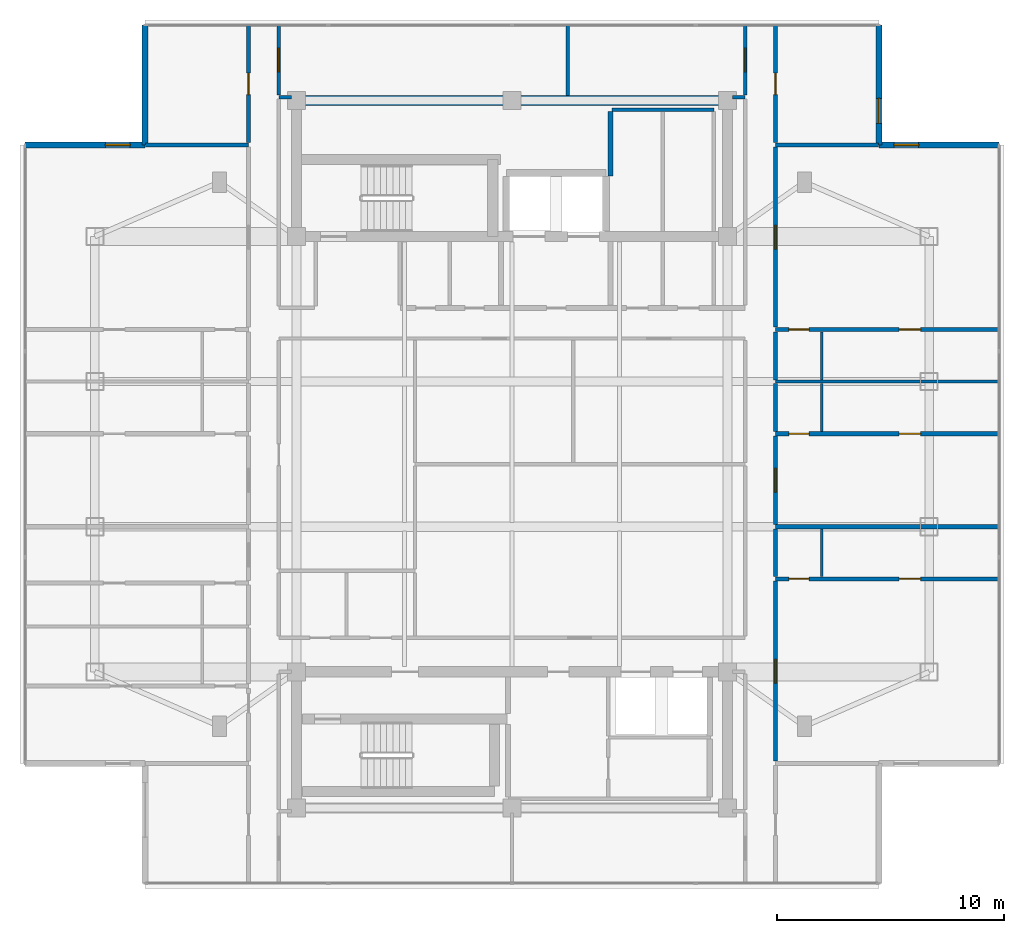
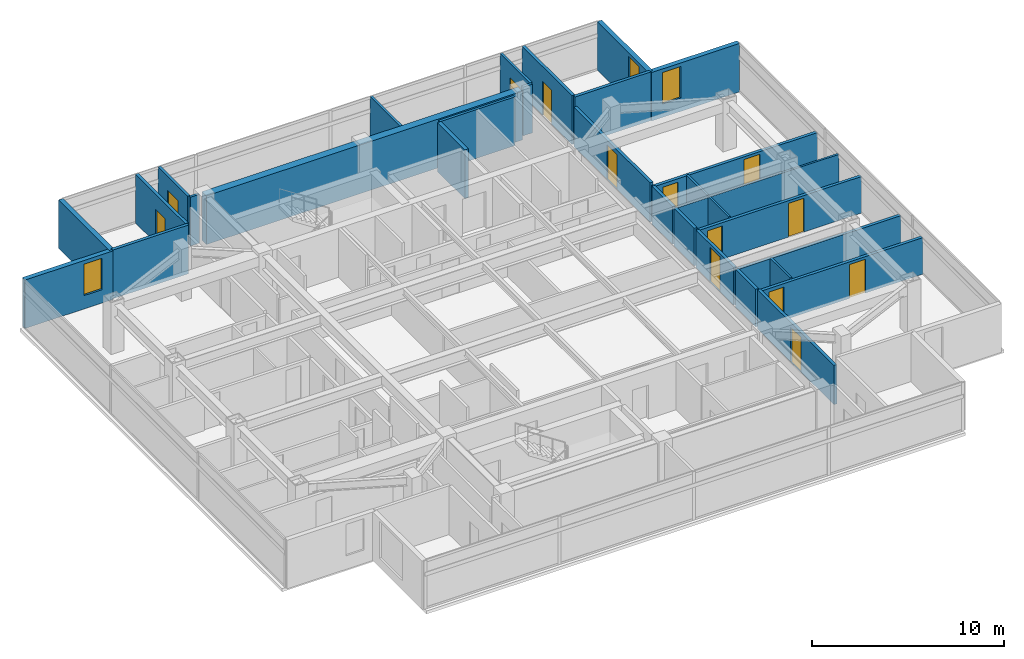
# One storey, part 10 of 14: 30 walls, 13 doors, 3 windows, 16 openings.
"""IFC4 building model written with IfcOpenShell, lengths in metres."""

import ifcopenshell
import ifcopenshell.guid

model = None  # the IFC model being written
_history = None  # IfcOwnerHistory: only IFC2X3 demands one
_inside = {}  # id of a spatial element -> (the spatial element, [elements in it])
_under = {}  # id of a project, library or spatial element -> (it, [spatial elements below it])
_declared = {}  # id of a project -> (the project, [libraries it declares])
_typed = {}  # id of a type object -> (the type object, [elements of that type])
_made_of = {}  # id of a material, layer set ... -> (it, [elements and type objects made of it])


def new_model(schema):
    """Start an empty IFC model of exactly this schema.

    Asked for "IFC4X3", IfcOpenShell would pick the latest addendum, in which some entities
    have other attributes; the version numbers below select the first issue.
    IFC2X3 requires an IfcOwnerHistory on every rooted entity: one is made here for all.
    """
    global model, _history
    if schema == "IFC4X3":
        model = ifcopenshell.file(schema_version=(4, 3, 0, 0))
    else:
        model = ifcopenshell.file(schema=schema)
    _inside.clear()
    _under.clear()
    _declared.clear()
    _typed.clear()
    _made_of.clear()
    _history = None
    if model.schema == "IFC2X3":
        org = make("IfcOrganization", Name="unknown")
        user = make(
            "IfcPersonAndOrganization",
            ThePerson=make("IfcPerson", FamilyName="unknown"),
            TheOrganization=org,
        )
        app = make(
            "IfcApplication",
            ApplicationDeveloper=org,
            Version="unknown",
            ApplicationFullName="unknown",
            ApplicationIdentifier="unknown",
        )
        _history = make(
            "IfcOwnerHistory",
            OwningUser=user,
            OwningApplication=app,
            ChangeAction="ADDED",
            CreationDate=0,
        )
    return model


def make(cls, **values):
    """One entity of the class cls with the attributes given. An attribute that is None is left unset."""
    return model.create_entity(
        cls, **{name: value for name, value in values.items() if value is not None}
    )


def rooted(cls, **values):
    """An entity with a GlobalId (a new one), such as an element, a storey or a relation."""
    return make(cls, GlobalId=ifcopenshell.guid.new(), OwnerHistory=_history, **values)


def si_unit(unit_type, name, prefix=None):
    """IfcSIUnit, for example si_unit("LENGTHUNIT", "METRE", prefix="MILLI")."""
    return make("IfcSIUnit", UnitType=unit_type, Prefix=prefix, Name=name)


def assignment(units):
    """IfcUnitAssignment: the units of a project."""
    return None if units is None else make("IfcUnitAssignment", Units=units)


def point(xyz):
    """IfcCartesianPoint."""
    return None if xyz is None else make("IfcCartesianPoint", Coordinates=xyz)


def direction(xyz):
    """IfcDirection."""
    return None if xyz is None else make("IfcDirection", DirectionRatios=xyz)


def frame(location, z_axis=None, x_axis=None):
    """IfcAxis2Placement3D, a coordinate frame: its origin and axes. An axis left out is left unset."""
    return make(
        "IfcAxis2Placement3D",
        Location=point(location),
        Axis=direction(z_axis),
        RefDirection=direction(x_axis),
    )


def frame_2d(location, x_axis=None):
    """IfcAxis2Placement2D, a coordinate frame in the plane: its origin and x axis."""
    return make(
        "IfcAxis2Placement2D", Location=point(location), RefDirection=direction(x_axis)
    )


def origin():
    """The frame at (0, 0, 0) with its axes left unset."""
    return frame((0.0, 0.0, 0.0))


def place(relative_to, where):
    """IfcLocalPlacement: puts the frame where relative to a parent placement (None: the world)."""
    return make(
        "IfcLocalPlacement", PlacementRelTo=relative_to, RelativePlacement=where
    )


def context(
    kind, dimensions, precision=None, world=None, true_north=None, identifier=None
):
    """IfcGeometricRepresentationContext, for example the 3D "Model" context."""
    return make(
        "IfcGeometricRepresentationContext",
        ContextIdentifier=identifier,
        ContextType=kind,
        CoordinateSpaceDimension=dimensions,
        Precision=precision,
        WorldCoordinateSystem=world,
        TrueNorth=true_north,
    )


def subcontext(parent, identifier, kind, view, scale=None):
    """IfcGeometricRepresentationSubContext, for example "Body" below "Model"."""
    return make(
        "IfcGeometricRepresentationSubContext",
        ContextIdentifier=identifier,
        ContextType=kind,
        ParentContext=parent,
        TargetScale=scale,
        TargetView=view,
    )


def project(units=None, contexts=None):
    """IfcProject with its units and contexts."""
    return rooted(
        "IfcProject",
        Name="project",
        RepresentationContexts=contexts,
        UnitsInContext=assignment(units),
    )


def spatial(cls, under=None, at=None, **own):
    """A site, building, storey or space (cls), placed at a placement, below another one or the project."""
    s = rooted(cls, ObjectPlacement=at, **own)
    if under is not None:
        _under.setdefault(under.id(), (under, []))[1].append(s)
    return s


def profile(cls, at=None, kind="AREA", **sizes):
    """A parametric profile (cls). Its sizes go by their IFC names, for example OverallWidth=200.0."""
    return make(cls, ProfileType=kind, Position=at, **sizes)


def rectangle(**sizes):
    """IfcRectangleProfileDef."""
    return profile("IfcRectangleProfileDef", **sizes)


def extrude(swept, where, along, depth):
    """IfcExtrudedAreaSolid: the profile swept, set in the frame where, extruded along a direction by depth."""
    return make(
        "IfcExtrudedAreaSolid",
        SweptArea=swept,
        Position=where,
        ExtrudedDirection=direction(along),
        Depth=depth,
    )


def shape(context_of_items, identifier, shape_type, items):
    """IfcShapeRepresentation: the items that make up one representation, for example the "Body"."""
    return make(
        "IfcShapeRepresentation",
        ContextOfItems=context_of_items,
        RepresentationIdentifier=identifier,
        RepresentationType=shape_type,
        Items=items,
    )


def material(Name=None, Category=None):
    """IfcMaterial."""
    return make("IfcMaterial", Name=Name, Category=Category)


def layer(
    of_material, thickness, ventilated=None, Name=None, Category=None, Priority=None
):
    """IfcMaterialLayer: one layer of a wall or slab, of a material (None: an air gap)."""
    return make(
        "IfcMaterialLayer",
        Material=of_material,
        LayerThickness=thickness,
        IsVentilated=ventilated,
        Name=Name,
        Category=Category,
        Priority=Priority,
    )


def layer_set(layers, Name=None):
    """IfcMaterialLayerSet."""
    return make("IfcMaterialLayerSet", MaterialLayers=layers, LayerSetName=Name)


def made_of(thing, what):
    """Note that an element or type object is made of a material, layer set ...; save() writes the relation."""
    if what is not None:
        _made_of.setdefault(what.id(), (what, []))[1].append(thing)
    return thing


def type_object(cls, material=None, **own):
    """A type object (cls), such as IfcWallType, which elements share."""
    return made_of(rooted(cls, **own), material)


def element(
    cls,
    number,
    at=None,
    inside=None,
    cuts=None,
    type_object=None,
    material=None,
    context=None,
    identifier="Body",
    shape_type=None,
    held_by="IfcProductDefinitionShape",
    body=None,
    shapes=None,
    **own,
):
    """One element of the class cls, such as IfcWall. Its Tag is "e" and its number.

    at: its placement. inside: the storey or other place that contains it. cuts: it is an
    opening in that element (IfcRelVoidsElement). A single representation is given by context,
    identifier, shape_type and body (its items); several are given by shapes. held_by: the class
    of the entity that holds the representations. save() writes the other relations.
    """
    e = rooted(cls, Tag="e%d" % number, ObjectPlacement=at, **own)
    if body is not None:
        shapes = [shape(context, identifier, shape_type, body)]
    if shapes is not None:
        e.Representation = make(held_by, Representations=shapes)
    if inside is not None:
        _inside.setdefault(inside.id(), (inside, []))[1].append(e)
    if cuts is not None:
        rooted(
            "IfcRelVoidsElement", RelatingBuildingElement=cuts, RelatedOpeningElement=e
        )
    if type_object is not None:
        _typed.setdefault(type_object.id(), (type_object, []))[1].append(e)
    return made_of(e, material)


def fill(opening, filler):
    """IfcRelFillsElement: the door or window that sits in an opening."""
    return rooted(
        "IfcRelFillsElement",
        RelatingOpeningElement=opening,
        RelatedBuildingElement=filler,
    )


def aggregate(whole, parts):
    """IfcRelAggregates: a whole, such as a stair, and the parts it consists of."""
    return rooted("IfcRelAggregates", RelatingObject=whole, RelatedObjects=parts)


def save(model, path):
    """Write the relations noted so far, then the file.

    IfcRelAggregates (storeys below a building ...), IfcRelContainedInSpatialStructure (elements
    in a storey), IfcRelDefinesByType, IfcRelAssociatesMaterial and IfcRelDeclares: one each for
    every whole, place, type object, material and project.
    """
    for whole, parts in _under.values():
        aggregate(whole, parts)
    for where, things in _inside.values():
        rooted(
            "IfcRelContainedInSpatialStructure",
            RelatedElements=things,
            RelatingStructure=where,
        )
    for kind, things in _typed.values():
        rooted("IfcRelDefinesByType", RelatedObjects=things, RelatingType=kind)
    for what, things in _made_of.values():
        rooted("IfcRelAssociatesMaterial", RelatedObjects=things, RelatingMaterial=what)
    for by, libraries in _declared.values():
        rooted("IfcRelDeclares", RelatingContext=by, RelatedDefinitions=libraries)
    model.write(path)


model = new_model("IFC4")

# Units and contexts
model_context = context("Model", 3, precision=1e-05, world=origin(), true_north=direction((0.0, 1.0)))
body_context = subcontext(model_context, "Body", "Model", "MODEL_VIEW")
ifc_project = project(units=[si_unit("LENGTHUNIT", "METRE"), si_unit("AREAUNIT", "SQUARE_METRE"), si_unit("VOLUMEUNIT", "CUBIC_METRE"), si_unit("PLANEANGLEUNIT", "RADIAN"), si_unit("MASSUNIT", "GRAM", prefix="KILO")], contexts=[model_context])

# Site, building, storey
site_placement = place(None, origin())
site = spatial("IfcSite", under=ifc_project, at=site_placement, CompositionType="ELEMENT")
building_placement = place(site_placement, origin())
building = spatial("IfcBuilding", under=site, at=building_placement, Name="Mirazonda Arch Towers", CompositionType="ELEMENT")
storey_placement = place(building_placement, frame((0.0, 0.0, 235.89990234375)))
storey = spatial("IfcBuildingStorey", under=building, at=storey_placement, Name="L67", CompositionType="ELEMENT", Elevation=235.89990234375)

# Wall
ifc_material_1 = material(Name="Concrete C50/60", Category="concrete")
ifc_layer_1 = layer(ifc_material_1, 0.449951171875, Name="WALL-CORE-450")
ifc_layer_set_1 = layer_set([ifc_layer_1], Name="Concrete C50/60")
wall_type_1 = type_object("IfcWallType", Name="WALL-CORE-450", PredefinedType="SHEAR", material=ifc_layer_set_1)
wall_1_placement = place(storey_placement, frame((11.0, 43.60009765625, 0.0), z_axis=(0.0, 0.0, 1.0), x_axis=(1.0, 0.0, 0.0)))
element("IfcWall", 1, at=wall_1_placement, inside=storey, type_object=wall_type_1, Name="L67 T1N-N Core Shear Wall", PredefinedType="SHEAR", context=body_context, shape_type="SweptSolid", body=[
    extrude(rectangle(XDim=19.0, YDim=0.449951171875, at=frame_2d((9.5, 0.0))), origin(), (0.0, 0.0, 1.0), 3.10009765625),
])

# Wall, opening, window
ifc_material_2 = material(Name="Precast Concrete C40/50", Category="concrete")
ifc_layer_2 = layer(ifc_material_2, 0.280029296875, Name="WALL-EXT-WALL-280")
ifc_layer_set_2 = layer_set([ifc_layer_2], Name="Precast Concrete C40/50")
wall_type_2 = type_object("IfcWallType", Name="WALL-EXT-WALL-280", PredefinedType="SOLIDWALL", material=ifc_layer_set_2)
wall_2_placement = place(storey_placement, frame((36.68994140625, 41.639892578125, 0.0), z_axis=(0.0, 0.0, 1.0), x_axis=(0.0, 1.0, 0.0)))
wall_2 = element("IfcWall", 2, at=wall_2_placement, inside=storey, type_object=wall_type_2, Name="L67 T1 Notched NE Corner Wall WL-L67-T1-CNE", PredefinedType="SOLIDWALL", context=body_context, shape_type="SweptSolid", body=[
    extrude(rectangle(XDim=5.2900390625, YDim=0.280029296875, at=frame_2d((2.64501953125, 0.0))), origin(), (0.0, 0.0, 1.0), 3.080078125),
])
opening_1_placement = place(wall_2_placement, frame((0.949951171875, 0.0, 0.85009765625)))
opening_1 = element("IfcOpeningElement", 3, at=opening_1_placement, cuts=wall_2, Name="Opening WN-108", PredefinedType="OPENING", context=body_context, shape_type="SweptSolid", body=[
    extrude(rectangle(XDim=1.10009765625, YDim=2.0, at=frame_2d((0.550048828125, 1.0))), frame((0.0, 0.14990234375, 0.0), z_axis=(0.0, -1.0, 0.0), x_axis=(1.0, 0.0, 0.0)), (0.0, 0.0, 1.0), 0.300048828125),
])
ifc_material_3 = material(Name="Insulated Low-E Solar Glass", Category="glass")
window_type = type_object("IfcWindowType", Name="WIN-NOTCH-1100x2000", PartitioningType="SINGLE_PANEL", PredefinedType="WINDOW", material=ifc_material_3)
window_1_placement = place(opening_1_placement, origin())
window_1 = element("IfcWindow", 4, at=window_1_placement, inside=storey, type_object=window_type, Name="L67 Punched Facade Window WN-L67-T1-CNE", OverallHeight=2.0, OverallWidth=1.10009765625, PartitioningType="SINGLE_PANEL", PredefinedType="WINDOW", context=body_context, shape_type="SweptSolid", body=[
    extrude(rectangle(XDim=1.10009765625, YDim=2.0, at=frame_2d((0.550048828125, 1.0))), frame((0.0, 0.030029296875, 0.0), z_axis=(0.0, -1.0, 0.0), x_axis=(1.0, 0.0, 0.0)), (0.0, 0.0, 1.0), 0.06005859375),
])
fill(opening_1, window_1)

wall_3_placement = place(storey_placement, frame((4.31005859375, 41.639892578125, 0.0), z_axis=(0.0, 0.0, 1.0), x_axis=(-1.0, 0.0, 0.0)))
wall_3 = element("IfcWall", 5, at=wall_3_placement, inside=storey, type_object=wall_type_2, Name="L67 T1 Corner Notch Return Wall WL-L67-T1-CNW1", PredefinedType="SOLIDWALL", context=body_context, shape_type="SweptSolid", body=[
    extrude(rectangle(XDim=5.2900390625, YDim=0.280029296875, at=frame_2d((2.64501953125, 0.0))), origin(), (0.0, 0.0, 1.0), 3.080078125),
])
opening_2_placement = place(wall_3_placement, frame((0.64990234375, 0.0, 0.85009765625)))
opening_2 = element("IfcOpeningElement", 6, at=opening_2_placement, cuts=wall_3, Name="Opening WN-108", PredefinedType="OPENING", context=body_context, shape_type="SweptSolid", body=[
    extrude(rectangle(XDim=1.10009765625, YDim=2.0, at=frame_2d((0.550048828125, 1.0))), frame((0.0, 0.14990234375, 0.0), z_axis=(0.0, -1.0, 0.0), x_axis=(1.0, 0.0, 0.0)), (0.0, 0.0, 1.0), 0.300048828125),
])
window_2_placement = place(opening_2_placement, origin())
window_2 = element("IfcWindow", 7, at=window_2_placement, inside=storey, type_object=window_type, Name="L67 Punched Facade Window WN-L67-T1-CNW1", OverallHeight=2.0, OverallWidth=1.10009765625, PartitioningType="SINGLE_PANEL", PredefinedType="WINDOW", context=body_context, shape_type="SweptSolid", body=[
    extrude(rectangle(XDim=1.10009765625, YDim=2.0, at=frame_2d((0.550048828125, 1.0))), frame((0.0, 0.030029296875, 0.0), z_axis=(0.0, -1.0, 0.0), x_axis=(1.0, 0.0, 0.0)), (0.0, 0.0, 1.0), 0.06005859375),
])
fill(opening_2, window_2)

# Wall
wall_4_placement = place(storey_placement, frame((4.31005859375, 46.929931640625, 0.0), z_axis=(0.0, 0.0, 1.0), x_axis=(0.0, -1.0, 0.0)))
element("IfcWall", 8, at=wall_4_placement, inside=storey, type_object=wall_type_2, Name="L67 T1 Corner Notch Return Wall WL-L67-T1-CNW2", PredefinedType="SOLIDWALL", context=body_context, shape_type="SweptSolid", body=[
    extrude(rectangle(XDim=5.2900390625, YDim=0.280029296875, at=frame_2d((2.64501953125, 0.0))), origin(), (0.0, 0.0, 1.0), 3.080078125),
])

# Wall, opening, window
wall_5_placement = place(storey_placement, frame((41.97998046875, 41.639892578125, 0.0), z_axis=(0.0, 0.0, 1.0), x_axis=(-1.0, 0.0, 0.0)))
wall_5 = element("IfcWall", 9, at=wall_5_placement, inside=storey, type_object=wall_type_2, Name="L67 T1 Corner Notch Return Wall WL-L67-T1-CNE2", PredefinedType="SOLIDWALL", context=body_context, shape_type="SweptSolid", body=[
    extrude(rectangle(XDim=5.2900390625, YDim=0.280029296875, at=frame_2d((2.64501953125, 0.0))), origin(), (0.0, 0.0, 1.0), 3.080078125),
])
opening_3_placement = place(wall_5_placement, frame((3.5400390625, 0.0, 0.85009765625)))
opening_3 = element("IfcOpeningElement", 10, at=opening_3_placement, cuts=wall_5, Name="Opening WN-108", PredefinedType="OPENING", context=body_context, shape_type="SweptSolid", body=[
    extrude(rectangle(XDim=1.10009765625, YDim=2.0, at=frame_2d((0.550048828125, 1.0))), frame((0.0, 0.14990234375, 0.0), z_axis=(0.0, -1.0, 0.0), x_axis=(1.0, 0.0, 0.0)), (0.0, 0.0, 1.0), 0.300048828125),
])
window_3_placement = place(opening_3_placement, origin())
window_3 = element("IfcWindow", 11, at=window_3_placement, inside=storey, type_object=window_type, Name="L67 Punched Facade Window WN-L67-T1-CNE2", OverallHeight=2.0, OverallWidth=1.10009765625, PartitioningType="SINGLE_PANEL", PredefinedType="WINDOW", context=body_context, shape_type="SweptSolid", body=[
    extrude(rectangle(XDim=1.10009765625, YDim=2.0, at=frame_2d((0.550048828125, 1.0))), frame((0.0, 0.030029296875, 0.0), z_axis=(0.0, -1.0, 0.0), x_axis=(1.0, 0.0, 0.0)), (0.0, 0.0, 1.0), 0.06005859375),
])
fill(opening_3, window_3)

# Walls
ifc_material_4 = material(Name="Concrete C40/50", Category="concrete")
ifc_layer_3 = layer(ifc_material_4, 0.219970703125, Name="WALL-FFL-220")
ifc_layer_set_3 = layer_set([ifc_layer_3], Name="Concrete C40/50")
wall_type_3 = type_object("IfcWallType", Name="WALL-FFL-220", PredefinedType="SOLIDWALL", material=ifc_layer_set_3)
wall_6_placement = place(storey_placement, frame((24.85009765625, 40.260009765625, 0.0), z_axis=(0.0, 0.0, 1.0), x_axis=(0.0, 1.0, 0.0)))
element("IfcWall", 12, at=wall_6_placement, inside=storey, type_object=wall_type_3, Name="L67 Interior Partition 074", PredefinedType="SOLIDWALL", context=body_context, shape_type="SweptSolid", body=[
    extrude(rectangle(XDim=2.85498046875, YDim=0.219970703125, at=frame_2d((1.427490234375, 0.0))), origin(), (0.0, 0.0, 1.0), 3.10009765625),
])
ifc_material_5 = material(Name="Fire-Rated Gypsum Stud Partition")
ifc_layer_4 = layer(ifc_material_5, 0.14990234375, Name="WALL-PART-CORR-150")
ifc_layer_set_4 = layer_set([ifc_layer_4], Name="Fire-Rated Gypsum Stud Partition")
wall_type_4 = type_object("IfcWallType", Name="WALL-PART-CORR-150", PredefinedType="PARTITIONING", material=ifc_layer_set_4)
wall_7_placement = place(storey_placement, frame((24.89990234375, 43.199951171875, 0.0), z_axis=(0.0, 0.0, 1.0), x_axis=(1.0, 0.0, 0.0)))
element("IfcWall", 13, at=wall_7_placement, inside=storey, type_object=wall_type_4, Name="L67 Interior Partition 032", PredefinedType="PARTITIONING", context=body_context, shape_type="SweptSolid", body=[
    extrude(rectangle(XDim=4.5, YDim=0.14990234375, at=frame_2d((2.25, 0.0))), origin(), (0.0, 0.0, 1.0), 3.10009765625),
])
for number, where, z_axis, x_axis, name in (
    (14, (10.219970703125, 43.75, 0.0), (0.0, 0.0, 1.0), (1.0, 0.0, 0.0), "L67 Interior Partition 033"),
    (15, (30.219970703125, 43.75, 0.0), (0.0, 0.0, 1.0), (1.0, 0.0, 0.0), "L67 Interior Partition 034"),
):
    element("IfcWall", number, at=place(storey_placement, frame(where, z_axis=z_axis, x_axis=x_axis)), inside=storey, type_object=wall_type_4, Name=name, PredefinedType="PARTITIONING", context=body_context, shape_type="SweptSolid", body=[
        extrude(rectangle(XDim=0.56005859375, YDim=0.14990234375, at=frame_2d((0.280029296875, 0.0))), origin(), (0.0, 0.0, 1.0), 3.10009765625),
    ])

# Wall, opening, door
wall_8_placement = place(storey_placement, frame((10.219970703125, 43.8349609375, 0.0), z_axis=(0.0, 0.0, 1.0), x_axis=(0.0, 1.0, 0.0)))
wall_8 = element("IfcWall", 16, at=wall_8_placement, inside=storey, type_object=wall_type_4, Name="L67 Interior Partition 054", PredefinedType="PARTITIONING", context=body_context, shape_type="SweptSolid", body=[
    extrude(rectangle(XDim=3.094970703125, YDim=0.14990234375, at=frame_2d((1.54736328125, 0.0))), origin(), (0.0, 0.0, 1.0), 3.10009765625),
])
opening_4_placement = place(wall_8_placement, frame((1.0224609375, 0.0, 0.0)))
opening_4 = element("IfcOpeningElement", 17, at=opening_4_placement, cuts=wall_8, Name="Opening DR-121", PredefinedType="OPENING", context=body_context, shape_type="SweptSolid", body=[
    extrude(rectangle(XDim=1.050048828125, YDim=2.199951171875, at=frame_2d((0.52490234375, 1.10009765625))), frame((0.0, 0.0849609375, 0.0), z_axis=(0.0, -1.0, 0.0), x_axis=(1.0, 0.0, 0.0)), (0.0, 0.0, 1.0), 0.169921875),
])
ifc_material_6 = material(Name="Architectural Brushed Steel S355", Category="steel")
door_type_1 = type_object("IfcDoorType", Name="DOOR-SUITE-FD60-1050", OperationType="NOTDEFINED", PredefinedType="DOOR", material=ifc_material_6)
door_1_placement = place(opening_4_placement, origin())
door_1 = element("IfcDoor", 18, at=door_1_placement, inside=storey, type_object=door_type_1, Name="L67 North Reading Salon West Door", OperationType="SINGLE_SWING_RIGHT", OverallHeight=2.199951171875, OverallWidth=1.050048828125, PredefinedType="DOOR", context=body_context, shape_type="SweptSolid", body=[
    extrude(rectangle(XDim=1.050048828125, YDim=2.199951171875, at=frame_2d((0.52490234375, 1.10009765625))), frame((0.0, 0.02490234375, 0.0), z_axis=(0.0, -1.0, 0.0), x_axis=(1.0, 0.0, 0.0)), (0.0, 0.0, 1.0), 0.050048828125),
])
fill(opening_4, door_1)

# Wall
wall_9_placement = place(storey_placement, frame((22.967041015625, 43.820068359375, 0.0), z_axis=(0.0, 0.0, 1.0), x_axis=(0.0, 1.0, 0.0)))
element("IfcWall", 19, at=wall_9_placement, inside=storey, type_object=wall_type_4, Name="L67 Interior Partition 068", PredefinedType="PARTITIONING", context=body_context, shape_type="SweptSolid", body=[
    extrude(rectangle(XDim=3.10986328125, YDim=0.14990234375, at=frame_2d((1.554931640625, 0.0))), origin(), (0.0, 0.0, 1.0), 3.10009765625),
])

# Wall, opening, door
wall_10_placement = place(storey_placement, frame((30.780029296875, 43.8349609375, 0.0), z_axis=(0.0, 0.0, 1.0), x_axis=(0.0, 1.0, 0.0)))
wall_10 = element("IfcWall", 20, at=wall_10_placement, inside=storey, type_object=wall_type_4, Name="L67 Interior Partition 086", PredefinedType="PARTITIONING", context=body_context, shape_type="SweptSolid", body=[
    extrude(rectangle(XDim=3.094970703125, YDim=0.14990234375, at=frame_2d((1.54736328125, 0.0))), origin(), (0.0, 0.0, 1.0), 3.10009765625),
])
opening_5_placement = place(wall_10_placement, frame((1.0224609375, 0.0, 0.0)))
opening_5 = element("IfcOpeningElement", 21, at=opening_5_placement, cuts=wall_10, Name="Opening DR-121", PredefinedType="OPENING", context=body_context, shape_type="SweptSolid", body=[
    extrude(rectangle(XDim=1.050048828125, YDim=2.199951171875, at=frame_2d((0.52490234375, 1.10009765625))), frame((0.0, 0.0849609375, 0.0), z_axis=(0.0, -1.0, 0.0), x_axis=(1.0, 0.0, 0.0)), (0.0, 0.0, 1.0), 0.169921875),
])
door_2_placement = place(opening_5_placement, origin())
door_2 = element("IfcDoor", 22, at=door_2_placement, inside=storey, type_object=door_type_1, Name="L67 North Reading Salon East Door", OperationType="SINGLE_SWING_LEFT", OverallHeight=2.199951171875, OverallWidth=1.050048828125, PredefinedType="DOOR", context=body_context, shape_type="SweptSolid", body=[
    extrude(rectangle(XDim=1.050048828125, YDim=2.199951171875, at=frame_2d((0.52490234375, 1.10009765625))), frame((0.0, 0.02490234375, 0.0), z_axis=(0.0, -1.0, 0.0), x_axis=(1.0, 0.0, 0.0)), (0.0, 0.0, 1.0), 0.050048828125),
])
fill(opening_5, door_2)

# Wall, openings, doors
ifc_material_7 = material(Name="Fire-Rated Gypsum Twin-Stud Assembly")
ifc_layer_5 = layer(ifc_material_7, 0.179931640625, Name="WALL-PART-DEMISE-180")
ifc_layer_set_5 = layer_set([ifc_layer_5], Name="Fire-Rated Gypsum Twin-Stud Assembly")
wall_type_5 = type_object("IfcWallType", Name="WALL-PART-DEMISE-180", PredefinedType="PARTITIONING", material=ifc_layer_set_5)
wall_11_placement = place(storey_placement, frame((32.1201171875, 22.5, 0.0), z_axis=(0.0, 0.0, 1.0), x_axis=(1.0, 0.0, 0.0)))
wall_11 = element("IfcWall", 23, at=wall_11_placement, inside=storey, type_object=wall_type_5, Name="L67 Interior Partition 015", PredefinedType="PARTITIONING", context=body_context, shape_type="SweptSolid", body=[
    extrude(rectangle(XDim=9.85986328125, YDim=0.179931640625, at=frame_2d((4.929931640625, 0.0))), origin(), (0.0, 0.0, 1.0), 2.319091796875),
])
opening_6_placement = place(wall_11_placement, frame((5.455078125, 0.0, 0.0)))
opening_6 = element("IfcOpeningElement", 24, at=opening_6_placement, cuts=wall_11, Name="Opening DR-104", PredefinedType="OPENING", context=body_context, shape_type="SweptSolid", body=[
    extrude(rectangle(XDim=0.949951171875, YDim=2.14990234375, at=frame_2d((0.47509765625, 1.074951171875))), frame((0.0, 0.099853515625, 0.0), z_axis=(0.0, -1.0, 0.0), x_axis=(1.0, 0.0, 0.0)), (0.0, 0.0, 1.0), 0.199951171875),
])
opening_7_placement = place(wall_11_placement, frame((0.590087890625, 0.0, 0.0)))
opening_7 = element("IfcOpeningElement", 25, at=opening_7_placement, cuts=wall_11, Name="Opening DR-120", PredefinedType="OPENING", context=body_context, shape_type="SweptSolid", body=[
    extrude(rectangle(XDim=0.89990234375, YDim=2.10009765625, at=frame_2d((0.449951171875, 1.050048828125))), frame((0.0, 0.099853515625, 0.0), z_axis=(0.0, -1.0, 0.0), x_axis=(1.0, 0.0, 0.0)), (0.0, 0.0, 1.0), 0.199951171875),
])
door_type_2 = type_object("IfcDoorType", Name="DOOR-ROOM-950", OperationType="NOTDEFINED", PredefinedType="DOOR", material=ifc_material_6)
door_3_placement = place(opening_6_placement, origin())
door_3 = element("IfcDoor", 26, at=door_3_placement, inside=storey, type_object=door_type_2, Name="L67 Suite Bedroom 1 Door", OperationType="SINGLE_SWING_LEFT", OverallHeight=2.14990234375, OverallWidth=0.949951171875, PredefinedType="DOOR", context=body_context, shape_type="SweptSolid", body=[
    extrude(rectangle(XDim=0.949951171875, YDim=2.14990234375, at=frame_2d((0.47509765625, 1.074951171875))), frame((0.0, 0.02490234375, 0.0), z_axis=(0.0, -1.0, 0.0), x_axis=(1.0, 0.0, 0.0)), (0.0, 0.0, 1.0), 0.050048828125),
])
fill(opening_6, door_3)
door_type_3 = type_object("IfcDoorType", Name="DOOR-WC-900", OperationType="NOTDEFINED", PredefinedType="DOOR", material=ifc_material_6)
door_4_placement = place(opening_7_placement, origin())
door_4 = element("IfcDoor", 27, at=door_4_placement, inside=storey, type_object=door_type_3, Name="L67 Suite En-Suite Bathroom 1 Door", OperationType="SINGLE_SWING_RIGHT", OverallHeight=2.10009765625, OverallWidth=0.89990234375, PredefinedType="DOOR", context=body_context, shape_type="SweptSolid", body=[
    extrude(rectangle(XDim=0.89990234375, YDim=2.10009765625, at=frame_2d((0.449951171875, 1.050048828125))), frame((0.0, 0.02490234375, 0.0), z_axis=(0.0, -1.0, 0.0), x_axis=(1.0, 0.0, 0.0)), (0.0, 0.0, 1.0), 0.050048828125),
])
fill(opening_7, door_4)

# Wall
wall_12_placement = place(storey_placement, frame((32.1201171875, 24.800048828125, 0.0), z_axis=(0.0, 0.0, 1.0), x_axis=(1.0, 0.0, 0.0)))
element("IfcWall", 28, at=wall_12_placement, inside=storey, type_object=wall_type_5, Name="L67 Interior Partition 018", PredefinedType="PARTITIONING", context=body_context, shape_type="SweptSolid", body=[
    extrude(rectangle(XDim=9.85986328125, YDim=0.179931640625, at=frame_2d((4.929931640625, 0.0))), origin(), (0.0, 0.0, 1.0), 2.319091796875),
])

# Wall, openings, doors
wall_13_placement = place(storey_placement, frame((32.1201171875, 28.89990234375, 0.0), z_axis=(0.0, 0.0, 1.0), x_axis=(1.0, 0.0, 0.0)))
wall_13 = element("IfcWall", 29, at=wall_13_placement, inside=storey, type_object=wall_type_5, Name="L67 Interior Partition 021", PredefinedType="PARTITIONING", context=body_context, shape_type="SweptSolid", body=[
    extrude(rectangle(XDim=9.85986328125, YDim=0.179931640625, at=frame_2d((4.929931640625, 0.0))), origin(), (0.0, 0.0, 1.0), 2.319091796875),
])
opening_8_placement = place(wall_13_placement, frame((5.455078125, 0.0, 0.0)))
opening_8 = element("IfcOpeningElement", 30, at=opening_8_placement, cuts=wall_13, Name="Opening DR-104", PredefinedType="OPENING", context=body_context, shape_type="SweptSolid", body=[
    extrude(rectangle(XDim=0.949951171875, YDim=2.14990234375, at=frame_2d((0.47509765625, 1.074951171875))), frame((0.0, 0.099853515625, 0.0), z_axis=(0.0, -1.0, 0.0), x_axis=(1.0, 0.0, 0.0)), (0.0, 0.0, 1.0), 0.199951171875),
])
opening_9_placement = place(wall_13_placement, frame((0.590087890625, 0.0, 0.0)))
opening_9 = element("IfcOpeningElement", 31, at=opening_9_placement, cuts=wall_13, Name="Opening DR-120", PredefinedType="OPENING", context=body_context, shape_type="SweptSolid", body=[
    extrude(rectangle(XDim=0.89990234375, YDim=2.10009765625, at=frame_2d((0.449951171875, 1.050048828125))), frame((0.0, 0.099853515625, 0.0), z_axis=(0.0, -1.0, 0.0), x_axis=(1.0, 0.0, 0.0)), (0.0, 0.0, 1.0), 0.199951171875),
])
door_5_placement = place(opening_8_placement, origin())
door_5 = element("IfcDoor", 32, at=door_5_placement, inside=storey, type_object=door_type_2, Name="L67 Suite Bedroom 2 Door", OperationType="SINGLE_SWING_RIGHT", OverallHeight=2.14990234375, OverallWidth=0.949951171875, PredefinedType="DOOR", context=body_context, shape_type="SweptSolid", body=[
    extrude(rectangle(XDim=0.949951171875, YDim=2.14990234375, at=frame_2d((0.47509765625, 1.074951171875))), frame((0.0, 0.02490234375, 0.0), z_axis=(0.0, -1.0, 0.0), x_axis=(1.0, 0.0, 0.0)), (0.0, 0.0, 1.0), 0.050048828125),
])
fill(opening_8, door_5)
door_6_placement = place(opening_9_placement, origin())
door_6 = element("IfcDoor", 33, at=door_6_placement, inside=storey, type_object=door_type_3, Name="L67 Suite En-Suite Bathroom 2 Door", OperationType="SINGLE_SWING_LEFT", OverallHeight=2.10009765625, OverallWidth=0.89990234375, PredefinedType="DOOR", context=body_context, shape_type="SweptSolid", body=[
    extrude(rectangle(XDim=0.89990234375, YDim=2.10009765625, at=frame_2d((0.449951171875, 1.050048828125))), frame((0.0, 0.02490234375, 0.0), z_axis=(0.0, -1.0, 0.0), x_axis=(1.0, 0.0, 0.0)), (0.0, 0.0, 1.0), 0.050048828125),
])
fill(opening_9, door_6)

wall_14_placement = place(storey_placement, frame((32.1201171875, 33.5, 0.0), z_axis=(0.0, 0.0, 1.0), x_axis=(1.0, 0.0, 0.0)))
wall_14 = element("IfcWall", 34, at=wall_14_placement, inside=storey, type_object=wall_type_5, Name="L67 Interior Partition 026", PredefinedType="PARTITIONING", context=body_context, shape_type="SweptSolid", body=[
    extrude(rectangle(XDim=9.85986328125, YDim=0.179931640625, at=frame_2d((4.929931640625, 0.0))), origin(), (0.0, 0.0, 1.0), 2.319091796875),
])
opening_10_placement = place(wall_14_placement, frame((5.455078125, 0.0, 0.0)))
opening_10 = element("IfcOpeningElement", 35, at=opening_10_placement, cuts=wall_14, Name="Opening DR-104", PredefinedType="OPENING", context=body_context, shape_type="SweptSolid", body=[
    extrude(rectangle(XDim=0.949951171875, YDim=2.14990234375, at=frame_2d((0.47509765625, 1.074951171875))), frame((0.0, 0.099853515625, 0.0), z_axis=(0.0, -1.0, 0.0), x_axis=(1.0, 0.0, 0.0)), (0.0, 0.0, 1.0), 0.199951171875),
])
opening_11_placement = place(wall_14_placement, frame((0.590087890625, 0.0, 0.0)))
opening_11 = element("IfcOpeningElement", 36, at=opening_11_placement, cuts=wall_14, Name="Opening DR-120", PredefinedType="OPENING", context=body_context, shape_type="SweptSolid", body=[
    extrude(rectangle(XDim=0.89990234375, YDim=2.10009765625, at=frame_2d((0.449951171875, 1.050048828125))), frame((0.0, 0.099853515625, 0.0), z_axis=(0.0, -1.0, 0.0), x_axis=(1.0, 0.0, 0.0)), (0.0, 0.0, 1.0), 0.199951171875),
])
door_7_placement = place(opening_10_placement, origin())
door_7 = element("IfcDoor", 37, at=door_7_placement, inside=storey, type_object=door_type_2, Name="L67 Suite Bedroom 3 Door", OperationType="SINGLE_SWING_LEFT", OverallHeight=2.14990234375, OverallWidth=0.949951171875, PredefinedType="DOOR", context=body_context, shape_type="SweptSolid", body=[
    extrude(rectangle(XDim=0.949951171875, YDim=2.14990234375, at=frame_2d((0.47509765625, 1.074951171875))), frame((0.0, 0.02490234375, 0.0), z_axis=(0.0, -1.0, 0.0), x_axis=(1.0, 0.0, 0.0)), (0.0, 0.0, 1.0), 0.050048828125),
])
fill(opening_10, door_7)
door_8_placement = place(opening_11_placement, origin())
door_8 = element("IfcDoor", 38, at=door_8_placement, inside=storey, type_object=door_type_3, Name="L67 Suite En-Suite Bathroom 3 Door", OperationType="SINGLE_SWING_RIGHT", OverallHeight=2.10009765625, OverallWidth=0.89990234375, PredefinedType="DOOR", context=body_context, shape_type="SweptSolid", body=[
    extrude(rectangle(XDim=0.89990234375, YDim=2.10009765625, at=frame_2d((0.449951171875, 1.050048828125))), frame((0.0, 0.02490234375, 0.0), z_axis=(0.0, -1.0, 0.0), x_axis=(1.0, 0.0, 0.0)), (0.0, 0.0, 1.0), 0.050048828125),
])
fill(opening_11, door_8)

# Walls
for number, where, z_axis, x_axis, name in (
    (39, (4.330078125, 41.639892578125, 0.0), (0.0, 0.0, 1.0), (1.0, 0.0, 0.0), "L67 Interior Partition 030"),
    (40, (32.1201171875, 41.639892578125, 0.0), (0.0, 0.0, 1.0), (1.0, 0.0, 0.0), "L67 Interior Partition 031"),
):
    element("IfcWall", number, at=place(storey_placement, frame(where, z_axis=z_axis, x_axis=x_axis)), inside=storey, type_object=wall_type_5, Name=name, PredefinedType="PARTITIONING", context=body_context, shape_type="SweptSolid", body=[
        extrude(rectangle(XDim=4.5498046875, YDim=0.179931640625, at=frame_2d((2.27490234375, 0.0))), origin(), (0.0, 0.0, 1.0), 3.10009765625),
    ])

# Wall, opening, door
wall_15_placement = place(storey_placement, frame((8.8798828125, 41.739990234375, 0.0), z_axis=(0.0, 0.0, 1.0), x_axis=(0.0, 1.0, 0.0)))
wall_15 = element("IfcWall", 41, at=wall_15_placement, inside=storey, type_object=wall_type_5, Name="L67 Interior Partition 048", PredefinedType="PARTITIONING", context=body_context, shape_type="SweptSolid", body=[
    extrude(rectangle(XDim=5.18994140625, YDim=0.179931640625, at=frame_2d((2.594970703125, 0.0))), origin(), (0.0, 0.0, 1.0), 3.10009765625),
])
opening_12_placement = place(wall_15_placement, frame((2.1201171875, 0.0, 0.0)))
opening_12 = element("IfcOpeningElement", 42, at=opening_12_placement, cuts=wall_15, Name="Opening DR-104", PredefinedType="OPENING", context=body_context, shape_type="SweptSolid", body=[
    extrude(rectangle(XDim=0.949951171875, YDim=2.14990234375, at=frame_2d((0.47509765625, 1.074951171875))), frame((0.0, 0.099853515625, 0.0), z_axis=(0.0, -1.0, 0.0), x_axis=(1.0, 0.0, 0.0)), (0.0, 0.0, 1.0), 0.199951171875),
])
door_9_placement = place(opening_12_placement, origin())
door_9 = element("IfcDoor", 43, at=door_9_placement, inside=storey, type_object=door_type_2, Name="L67 North Reading Salon Alcove West Door", OperationType="SINGLE_SWING_RIGHT", OverallHeight=2.14990234375, OverallWidth=0.949951171875, PredefinedType="DOOR", context=body_context, shape_type="SweptSolid", body=[
    extrude(rectangle(XDim=0.949951171875, YDim=2.14990234375, at=frame_2d((0.47509765625, 1.074951171875))), frame((0.0, 0.02490234375, 0.0), z_axis=(0.0, -1.0, 0.0), x_axis=(1.0, 0.0, 0.0)), (0.0, 0.0, 1.0), 0.050048828125),
])
fill(opening_12, door_9)

wall_16_placement = place(storey_placement, frame((32.1201171875, 14.4599609375, 0.0), z_axis=(0.0, 0.0, 1.0), x_axis=(0.0, 1.0, 0.0)))
wall_16 = element("IfcWall", 44, at=wall_16_placement, inside=storey, type_object=wall_type_5, Name="L67 Interior Partition 088", PredefinedType="PARTITIONING", context=body_context, shape_type="SweptSolid", body=[
    extrude(rectangle(XDim=7.93994140625, YDim=0.179931640625, at=frame_2d((3.969970703125, 0.0))), origin(), (0.0, 0.0, 1.0), 2.4921875),
])
opening_13_placement = place(wall_16_placement, frame((3.445068359375, 0.0, 0.0)))
opening_13 = element("IfcOpeningElement", 45, at=opening_13_placement, cuts=wall_16, Name="Opening DR-121", PredefinedType="OPENING", context=body_context, shape_type="SweptSolid", body=[
    extrude(rectangle(XDim=1.050048828125, YDim=2.199951171875, at=frame_2d((0.52490234375, 1.10009765625))), frame((0.0, 0.099853515625, 0.0), z_axis=(0.0, -1.0, 0.0), x_axis=(1.0, 0.0, 0.0)), (0.0, 0.0, 1.0), 0.199951171875),
])
door_10_placement = place(opening_13_placement, origin())
door_10 = element("IfcDoor", 46, at=door_10_placement, inside=storey, type_object=door_type_1, Name="L67 Presidential Hotel Suite 1 Door", OperationType="SINGLE_SWING_RIGHT", OverallHeight=2.199951171875, OverallWidth=1.050048828125, PredefinedType="DOOR", context=body_context, shape_type="SweptSolid", body=[
    extrude(rectangle(XDim=1.050048828125, YDim=2.199951171875, at=frame_2d((0.52490234375, 1.10009765625))), frame((0.0, 0.02490234375, 0.0), z_axis=(0.0, -1.0, 0.0), x_axis=(1.0, 0.0, 0.0)), (0.0, 0.0, 1.0), 0.050048828125),
])
fill(opening_13, door_10)

# Wall
wall_17_placement = place(storey_placement, frame((32.1201171875, 22.60009765625, 0.0), z_axis=(0.0, 0.0, 1.0), x_axis=(0.0, 1.0, 0.0)))
element("IfcWall", 47, at=wall_17_placement, inside=storey, type_object=wall_type_5, Name="L67 Interior Partition 089", PredefinedType="PARTITIONING", context=body_context, shape_type="SweptSolid", body=[
    extrude(rectangle(XDim=2.099853515625, YDim=0.179931640625, at=frame_2d((1.0498046875, 0.0))), origin(), (0.0, 0.0, 1.0), 2.39599609375),
])

# Wall, opening, door
wall_18_placement = place(storey_placement, frame((32.1201171875, 24.89990234375, 0.0), z_axis=(0.0, 0.0, 1.0), x_axis=(0.0, 1.0, 0.0)))
wall_18 = element("IfcWall", 48, at=wall_18_placement, inside=storey, type_object=wall_type_5, Name="L67 Interior Partition 090", PredefinedType="PARTITIONING", context=body_context, shape_type="SweptSolid", body=[
    extrude(rectangle(XDim=3.900146484375, YDim=0.179931640625, at=frame_2d((1.9501953125, 0.0))), origin(), (0.0, 0.0, 1.0), 2.39599609375),
])
opening_14_placement = place(wall_18_placement, frame((1.425048828125, 0.0, 0.0)))
opening_14 = element("IfcOpeningElement", 49, at=opening_14_placement, cuts=wall_18, Name="Opening DR-121", PredefinedType="OPENING", context=body_context, shape_type="SweptSolid", body=[
    extrude(rectangle(XDim=1.050048828125, YDim=2.199951171875, at=frame_2d((0.52490234375, 1.10009765625))), frame((0.0, 0.099853515625, 0.0), z_axis=(0.0, -1.0, 0.0), x_axis=(1.0, 0.0, 0.0)), (0.0, 0.0, 1.0), 0.199951171875),
])
door_11_placement = place(opening_14_placement, origin())
door_11 = element("IfcDoor", 50, at=door_11_placement, inside=storey, type_object=door_type_1, Name="L67 Deluxe Suite Living Room 2 Door", OperationType="SINGLE_SWING_LEFT", OverallHeight=2.199951171875, OverallWidth=1.050048828125, PredefinedType="DOOR", context=body_context, shape_type="SweptSolid", body=[
    extrude(rectangle(XDim=1.050048828125, YDim=2.199951171875, at=frame_2d((0.52490234375, 1.10009765625))), frame((0.0, 0.02490234375, 0.0), z_axis=(0.0, -1.0, 0.0), x_axis=(1.0, 0.0, 0.0)), (0.0, 0.0, 1.0), 0.050048828125),
])
fill(opening_14, door_11)

# Walls
for number, where, z_axis, x_axis, name in (
    (51, (32.1201171875, 29.0, 0.0), (0.0, 0.0, 1.0), (0.0, 1.0, 0.0), "L67 Interior Partition 091"),
    (52, (32.1201171875, 31.2724609375, 0.0), (0.0, 0.0, 1.0), (0.0, 1.0, 0.0), "L67 Interior Partition 092"),
):
    element("IfcWall", number, at=place(storey_placement, frame(where, z_axis=z_axis, x_axis=x_axis)), inside=storey, type_object=wall_type_5, Name=name, PredefinedType="PARTITIONING", context=body_context, shape_type="SweptSolid", body=[
        extrude(rectangle(XDim=2.12744140625, YDim=0.179931640625, at=frame_2d((1.063720703125, 0.0))), origin(), (0.0, 0.0, 1.0), 2.39599609375),
    ])

# Wall, opening, door
wall_19_placement = place(storey_placement, frame((32.1201171875, 33.60009765625, 0.0), z_axis=(0.0, 0.0, 1.0), x_axis=(0.0, 1.0, 0.0)))
wall_19 = element("IfcWall", 53, at=wall_19_placement, inside=storey, type_object=wall_type_5, Name="L67 Interior Partition 093", PredefinedType="PARTITIONING", context=body_context, shape_type="SweptSolid", body=[
    extrude(rectangle(XDim=7.93994140625, YDim=0.179931640625, at=frame_2d((3.969970703125, 0.0))), origin(), (0.0, 0.0, 1.0), 2.4921875),
])
opening_15_placement = place(wall_19_placement, frame((3.445068359375, 0.0, 0.0)))
opening_15 = element("IfcOpeningElement", 54, at=opening_15_placement, cuts=wall_19, Name="Opening DR-121", PredefinedType="OPENING", context=body_context, shape_type="SweptSolid", body=[
    extrude(rectangle(XDim=1.050048828125, YDim=2.199951171875, at=frame_2d((0.52490234375, 1.10009765625))), frame((0.0, 0.099853515625, 0.0), z_axis=(0.0, -1.0, 0.0), x_axis=(1.0, 0.0, 0.0)), (0.0, 0.0, 1.0), 0.199951171875),
])
door_12_placement = place(opening_15_placement, origin())
door_12 = element("IfcDoor", 55, at=door_12_placement, inside=storey, type_object=door_type_1, Name="L67 Presidential Hotel Suite 3 Door", OperationType="SINGLE_SWING_RIGHT", OverallHeight=2.199951171875, OverallWidth=1.050048828125, PredefinedType="DOOR", context=body_context, shape_type="SweptSolid", body=[
    extrude(rectangle(XDim=1.050048828125, YDim=2.199951171875, at=frame_2d((0.52490234375, 1.10009765625))), frame((0.0, 0.02490234375, 0.0), z_axis=(0.0, -1.0, 0.0), x_axis=(1.0, 0.0, 0.0)), (0.0, 0.0, 1.0), 0.050048828125),
])
fill(opening_15, door_12)

wall_20_placement = place(storey_placement, frame((32.1201171875, 41.739990234375, 0.0), z_axis=(0.0, 0.0, 1.0), x_axis=(0.0, 1.0, 0.0)))
wall_20 = element("IfcWall", 56, at=wall_20_placement, inside=storey, type_object=wall_type_5, Name="L67 Interior Partition 094", PredefinedType="PARTITIONING", context=body_context, shape_type="SweptSolid", body=[
    extrude(rectangle(XDim=5.18994140625, YDim=0.179931640625, at=frame_2d((2.594970703125, 0.0))), origin(), (0.0, 0.0, 1.0), 3.10009765625),
])
opening_16_placement = place(wall_20_placement, frame((2.1201171875, 0.0, 0.0)))
opening_16 = element("IfcOpeningElement", 57, at=opening_16_placement, cuts=wall_20, Name="Opening DR-104", PredefinedType="OPENING", context=body_context, shape_type="SweptSolid", body=[
    extrude(rectangle(XDim=0.949951171875, YDim=2.14990234375, at=frame_2d((0.47509765625, 1.074951171875))), frame((0.0, 0.099853515625, 0.0), z_axis=(0.0, -1.0, 0.0), x_axis=(1.0, 0.0, 0.0)), (0.0, 0.0, 1.0), 0.199951171875),
])
door_13_placement = place(opening_16_placement, origin())
door_13 = element("IfcDoor", 58, at=door_13_placement, inside=storey, type_object=door_type_2, Name="L67 North Reading Salon Alcove East Door", OperationType="SINGLE_SWING_LEFT", OverallHeight=2.14990234375, OverallWidth=0.949951171875, PredefinedType="DOOR", context=body_context, shape_type="SweptSolid", body=[
    extrude(rectangle(XDim=0.949951171875, YDim=2.14990234375, at=frame_2d((0.47509765625, 1.074951171875))), frame((0.0, 0.02490234375, 0.0), z_axis=(0.0, -1.0, 0.0), x_axis=(1.0, 0.0, 0.0)), (0.0, 0.0, 1.0), 0.050048828125),
])
fill(opening_16, door_13)

# Walls
ifc_material_8 = material(Name="Acoustic Fire-Rated Gypsum Partition")
ifc_layer_6 = layer(ifc_material_8, 0.125, Name="WALL-PART-UNIT-125")
ifc_layer_set_6 = layer_set([ifc_layer_6], Name="Acoustic Fire-Rated Gypsum Partition")
wall_type_6 = type_object("IfcWallType", Name="WALL-PART-UNIT-125", PredefinedType="PARTITIONING", material=ifc_layer_set_6)
wall_21_placement = place(storey_placement, frame((32.1201171875, 31.199951171875, 0.0), z_axis=(0.0, 0.0, 1.0), x_axis=(1.0, 0.0, 0.0)))
element("IfcWall", 59, at=wall_21_placement, inside=storey, type_object=wall_type_6, Name="L67 Interior Partition 023", PredefinedType="PARTITIONING", context=body_context, shape_type="SweptSolid", body=[
    extrude(rectangle(XDim=9.85986328125, YDim=0.125, at=frame_2d((4.929931640625, 0.0))), origin(), (0.0, 0.0, 1.0), 2.319091796875),
])
wall_22_placement = place(storey_placement, frame((34.159912109375, 22.60009765625, 0.0), z_axis=(0.0, 0.0, 1.0), x_axis=(0.0, 1.0, 0.0)))
element("IfcWall", 60, at=wall_22_placement, inside=storey, type_object=wall_type_6, Name="L67 Interior Partition 095", PredefinedType="PARTITIONING", context=body_context, shape_type="SweptSolid", body=[
    extrude(rectangle(XDim=2.099853515625, YDim=0.125, at=frame_2d((1.0498046875, 0.0))), origin(), (0.0, 0.0, 1.0), 2.39599609375),
])
for number, where, z_axis, x_axis, name in (
    (61, (34.159912109375, 29.0, 0.0), (0.0, 0.0, 1.0), (0.0, 1.0, 0.0), "L67 Interior Partition 096"),
    (62, (34.159912109375, 31.2724609375, 0.0), (0.0, 0.0, 1.0), (0.0, 1.0, 0.0), "L67 Interior Partition 097"),
):
    element("IfcWall", number, at=place(storey_placement, frame(where, z_axis=z_axis, x_axis=x_axis)), inside=storey, type_object=wall_type_6, Name=name, PredefinedType="PARTITIONING", context=body_context, shape_type="SweptSolid", body=[
        extrude(rectangle(XDim=2.12744140625, YDim=0.125, at=frame_2d((1.063720703125, 0.0))), origin(), (0.0, 0.0, 1.0), 2.39599609375),
    ])

save(model, "model.ifc")
